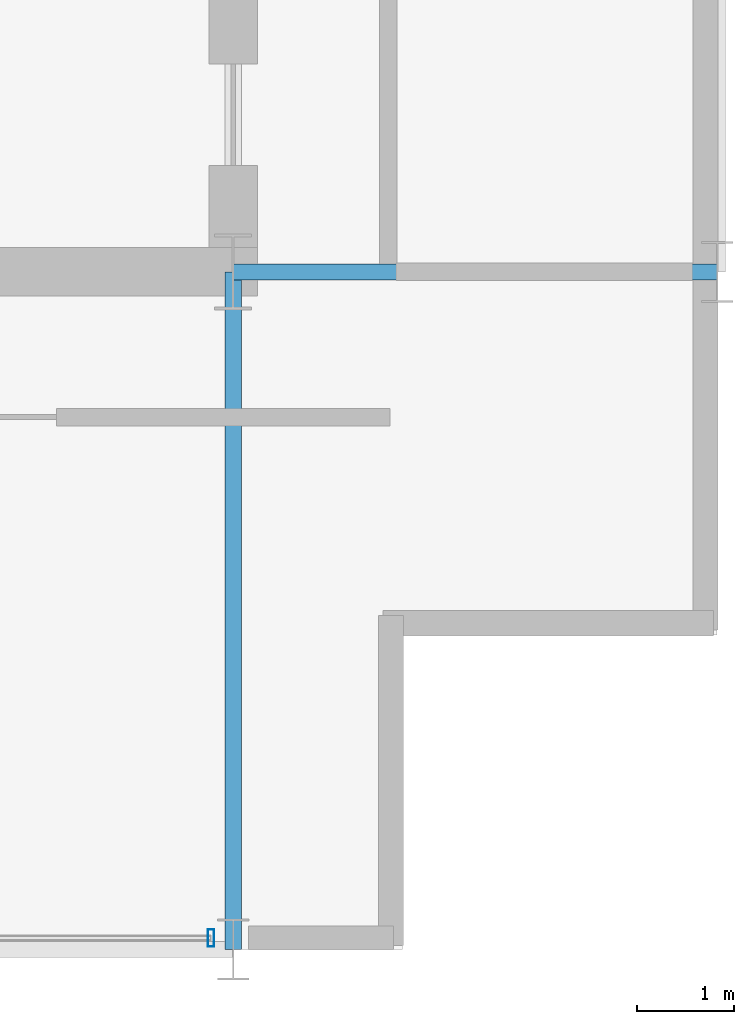
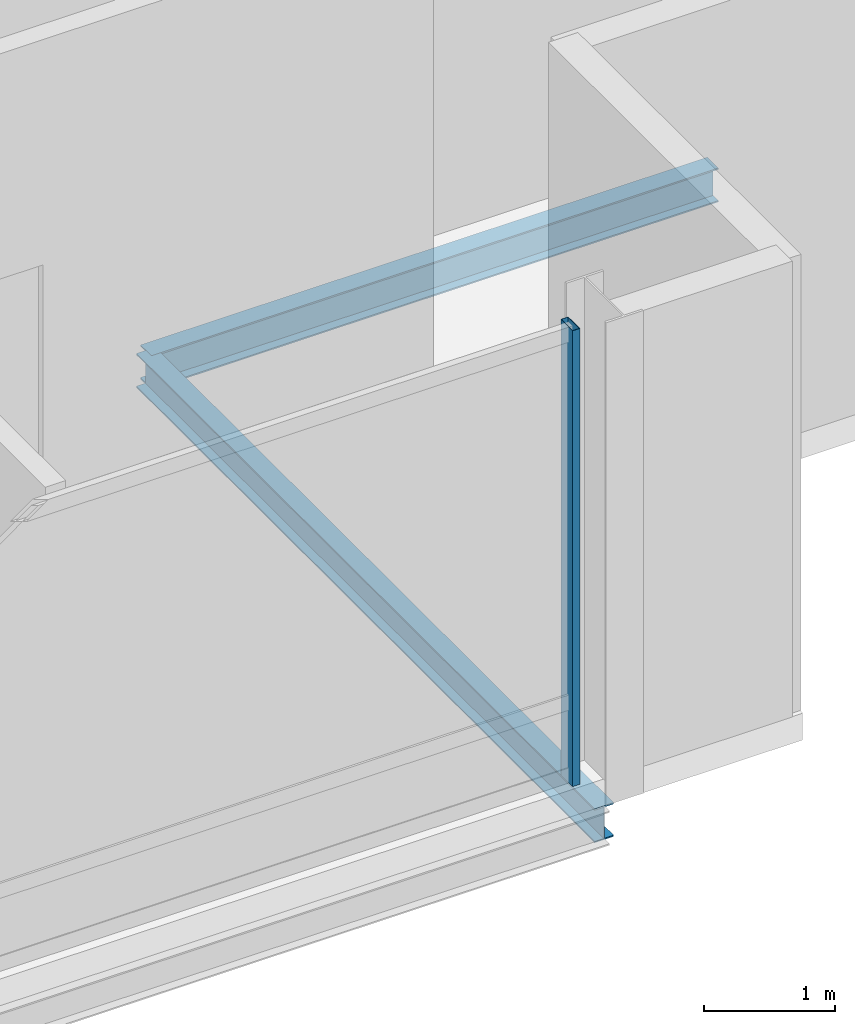
# One storey, part 5 of 10: 2 beams, 1 member, 1 element without a shape of its own.
"""IFC4 building model written with IfcOpenShell, lengths in metres."""

from ifc_helpers import new_model, si_unit, direction, frame, origin, origin_2d, place, context, subcontext, project, spatial, hollow_rectangle, i_section, extrude, material, layer, layer_set, material_profile, profile_set, type_object, element, aggregate, save


model = new_model("IFC4")

# Units and contexts
model_context = context("Model", 3, precision=1e-05, world=origin(), true_north=direction((0.0, 1.0)))
body_context = subcontext(model_context, "Body", "Model", "MODEL_VIEW")
ifc_project = project(units=[si_unit("LENGTHUNIT", "METRE"), si_unit("AREAUNIT", "SQUARE_METRE"), si_unit("VOLUMEUNIT", "CUBIC_METRE"), si_unit("PLANEANGLEUNIT", "RADIAN"), si_unit("MASSUNIT", "GRAM", prefix="KILO")], contexts=[model_context])

# Site, building, storey
site_placement = place(None, origin())
site = spatial("IfcSite", under=ifc_project, at=site_placement, CompositionType="ELEMENT")
building_placement = place(site_placement, origin())
building = spatial("IfcBuilding", under=site, at=building_placement, Name="Barlavira Tower and Art Museum", CompositionType="ELEMENT")
storey_placement = place(building_placement, frame((0.0, 0.0, 314.39990234375)))
storey = spatial("IfcBuildingStorey", under=building, at=storey_placement, Name="L82", CompositionType="ELEMENT", Elevation=314.39990234375)

# Beams
ifc_material_1 = material(Name="Steel S355", Category="steel")
ifc_material_profile_1 = material_profile(ifc_material_1, i_section(OverallWidth=0.1669921875, OverallDepth=0.31689453125, WebThickness=0.007568359375, FlangeThickness=0.01318359375, at=origin_2d()), Name="W310x52.0")
ifc_profile_set_1 = profile_set([ifc_material_profile_1], Name="Steel S355")
beam_type = type_object("IfcBeamType", Name="Crown Floor Joist W310x52 Steel S355", PredefinedType="JOIST", material=ifc_profile_set_1)
beam_1_placement = place(storey_placement, frame((6.5, -14.5, -0.408447265625), z_axis=(0.0, 1.0, 0.0), x_axis=(-1.0, 0.0, 0.0)))
element("IfcBeam", 1, at=beam_1_placement, inside=storey, type_object=beam_type, Name="L82 Crown Ring Beam CSR", PredefinedType="JOIST", context=body_context, shape_type="SweptSolid", body=[
    extrude(i_section(OverallWidth=0.1669921875, OverallDepth=0.31689453125, WebThickness=0.007568359375, FlangeThickness=0.01318359375, at=origin_2d()), origin(), (0.0, 0.0, 1.0), 7.0),
])
beam_2_placement = place(storey_placement, frame((6.5, -7.5, -0.408447265625), z_axis=(1.0, 0.0, 0.0), x_axis=(0.0, 1.0, 0.0)))
element("IfcBeam", 2, at=beam_2_placement, inside=storey, type_object=beam_type, Name="L82 Crown Ring Beam CEL", PredefinedType="JOIST", context=body_context, shape_type="SweptSolid", body=[
    extrude(i_section(OverallWidth=0.1669921875, OverallDepth=0.31689453125, WebThickness=0.007568359375, FlangeThickness=0.01318359375, at=origin_2d()), origin(), (0.0, 0.0, 1.0), 5.0),
])

# Curtain wall, member
ifc_material_2 = material(Name="Low-iron coastal laminated glass", Category="glass")
ifc_layer = layer(ifc_material_2, 0.22998046875, Name="Low-iron coastal laminated glass")
ifc_layer_set = layer_set([ifc_layer], Name="Low-iron coastal laminated glass")
curtain_wall_type = type_object("IfcCurtainWallType", Name="Winter-Garden Conservatory Glazed Curtain Wall", PredefinedType="NOTDEFINED", material=ifc_layer_set)
curtain_wall_placement = place(storey_placement, origin())
curtain_wall = element("IfcCurtainWall", 3, at=curtain_wall_placement, inside=storey, type_object=curtain_wall_type, Name="L82 Curtain Wall CW7-L82-S-B2", PredefinedType="NOTDEFINED")
ifc_material_3 = material(Name="Pale anodised aluminium", Category="aluminium")
ifc_material_profile_2 = material_profile(ifc_material_3, hollow_rectangle(XDim=0.06494140625, YDim=0.179931640625, WallThickness=0.00390625, at=origin_2d()), Name="ALU-MULL 65x180x4")
ifc_profile_set_2 = profile_set([ifc_material_profile_2], Name="Pale anodised aluminium")
member_type = type_object("IfcMemberType", Name="Curtain Wall Pale-Metal Mullion 65x180", PredefinedType="MULLION", material=ifc_profile_set_2)
member_placement = place(storey_placement, frame((6.27099609375, -14.3798828125, 0.0), z_axis=(0.0, 0.0, 1.0), x_axis=(1.0, 0.0, 0.0)))
member = element("IfcMember", 4, at=member_placement, type_object=member_type, Name="CW7-L82-S-B2 Mullion 2", PredefinedType="MULLION", context=body_context, shape_type="SweptSolid", body=[
    extrude(hollow_rectangle(XDim=0.06494140625, YDim=0.179931640625, WallThickness=0.00390625, at=origin_2d()), origin(), (0.0, 0.0, 1.0), 4.25),
])
aggregate(curtain_wall, [member])

save(model, "model.ifc")
